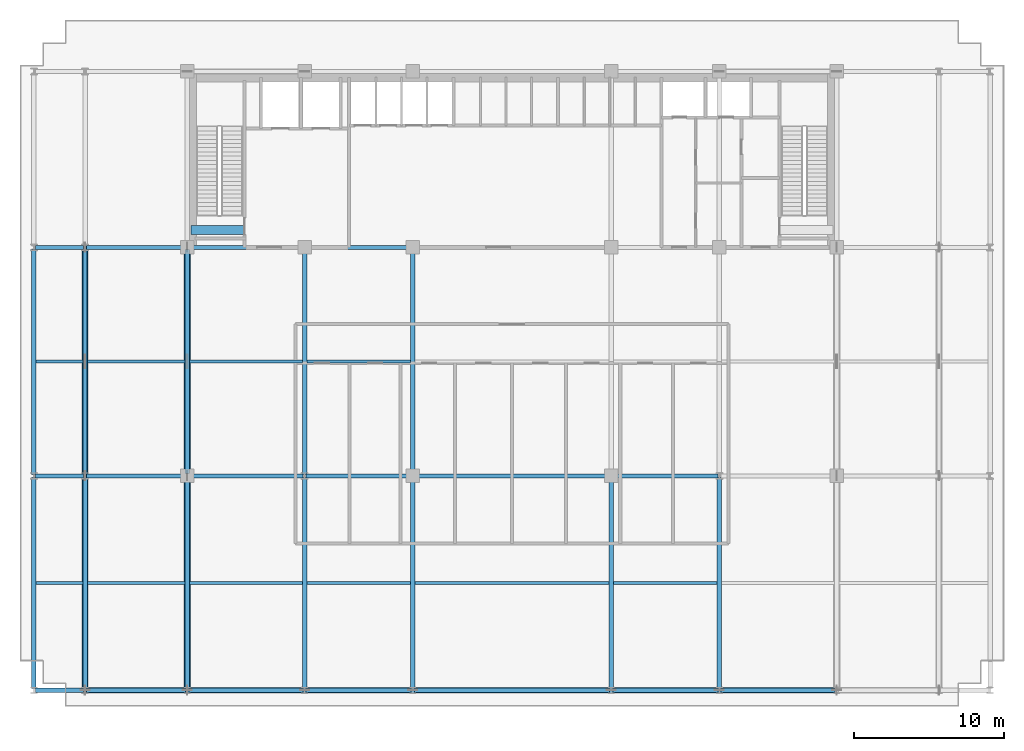
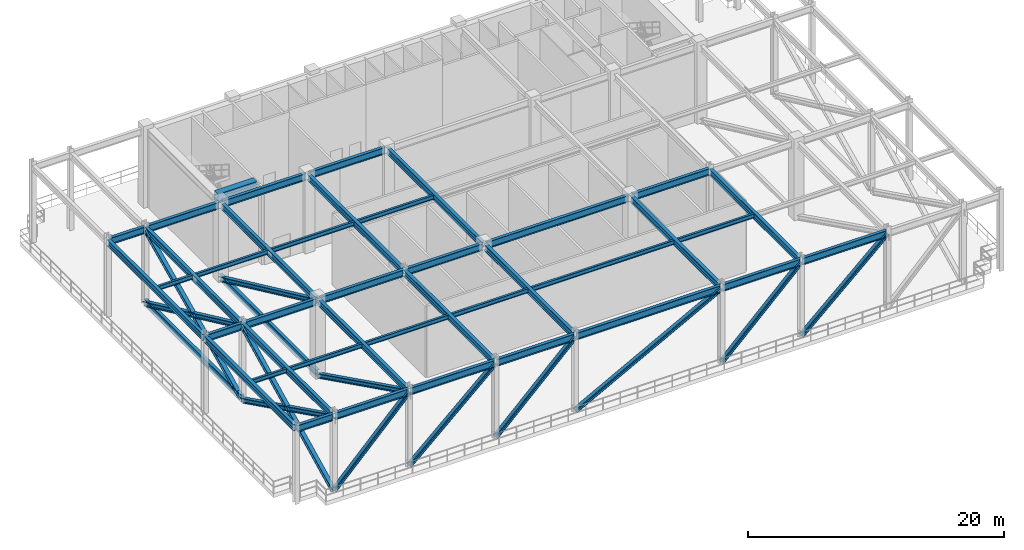
# One storey, part 4 of 16: 40 beams, 14 members.
"""IFC4 building model written with IfcOpenShell, lengths in metres."""

from ifc_helpers import new_model, si_unit, direction, frame, origin, origin_2d, place, context, subcontext, project, spatial, rectangle, i_section, extrude, source, transform, mapped, material, material_profile, profile_set, type_object, element, save


model = new_model("IFC4")

# Units and contexts
model_context = context("Model", 3, precision=1e-05, world=origin(), true_north=direction((0.0, 1.0)))
body_context = subcontext(model_context, "Body", "Model", "MODEL_VIEW")
ifc_project = project(units=[si_unit("LENGTHUNIT", "METRE"), si_unit("AREAUNIT", "SQUARE_METRE"), si_unit("VOLUMEUNIT", "CUBIC_METRE"), si_unit("PLANEANGLEUNIT", "RADIAN"), si_unit("MASSUNIT", "GRAM", prefix="KILO")], contexts=[model_context])

# Site, building, storey
site_placement = place(None, origin())
site = spatial("IfcSite", under=ifc_project, at=site_placement, CompositionType="ELEMENT")
building_placement = place(site_placement, origin())
building = spatial("IfcBuilding", under=site, at=building_placement, Name="Trelvane Seafront Commons", CompositionType="ELEMENT")
storey_placement = place(building_placement, frame((0.0, 0.0, 73.89990234375)))
storey = spatial("IfcBuildingStorey", under=building, at=storey_placement, Name="L19", CompositionType="ELEMENT", Elevation=73.89990234375)

# Beams
ifc_material_1 = material(Name="Concrete C60/75", Category="concrete")
ifc_material_profile_1 = material_profile(ifc_material_1, rectangle(XDim=0.60009765625, YDim=0.89990234375, at=origin_2d()), Name="RC-600x900")
ifc_profile_set_1 = profile_set([ifc_material_profile_1], Name="Concrete C60/75")
beam_type_1 = type_object("IfcBeamType", Name="STR-LNT-RC600x900", PredefinedType="LINTEL", material=ifc_profile_set_1)
shared_shape_1 = source(origin(), body_context, "Body", "SweptSolid", [
    extrude(rectangle(XDim=0.60009765625, YDim=0.89990234375, at=origin_2d()), origin(), (0.0, 0.0, 1.0), 3.5498046875),
])
beam_1_placement = place(storey_placement, frame((15.85009765625, 34.550048828125, 6.97021484375), z_axis=(1.0, 0.0, 0.0), x_axis=(0.0, 1.0, 0.0)))
element("IfcBeam", 1, at=beam_1_placement, inside=storey, type_object=beam_type_1, Name="L19 Core Coupling Lintel Beam CB-85", PredefinedType="LINTEL", context=body_context, shape_type="MappedRepresentation", body=[
    mapped(shared_shape_1, transform((0.0, 0.0, 0.0), x_axis=(1.0, 0.0, 0.0), y_axis=(0.0, 1.0, 0.0), z_axis=(0.0, 0.0, 1.0), scale=1.0)),
])
ifc_material_2 = material(Name="Steel SM355 (S355)", Category="steel")
ifc_material_profile_2 = material_profile(ifc_material_2, i_section(OverallWidth=0.280029296875, OverallDepth=0.64990234375, WebThickness=0.012939453125, FlangeThickness=0.02197265625, at=origin_2d()), Name="H-650x280x13x22")
ifc_profile_set_2 = profile_set([ifc_material_profile_2], Name="Steel SM355 (S355)")
beam_type_2 = type_object("IfcBeamType", Name="STR-BM-H650", PredefinedType="BEAM", material=ifc_profile_set_2)
shared_shape_2 = source(origin(), body_context, "Body", "SweptSolid", [
    extrude(i_section(OverallWidth=0.280029296875, OverallDepth=0.64990234375, WebThickness=0.012939453125, FlangeThickness=0.02197265625, at=origin_2d()), origin(), (0.0, 0.0, 1.0), 3.190185546875),
])
for number, where, z_axis, x_axis, name in (
    (2, (5.5048828125, 3.949951171875, 7.09521484375), (1.0, 0.0, 0.0), (0.0, 1.0, 0.0), "L19 Primary Girder G-01"),
    (3, (5.5048828125, 18.199951171875, 7.09521484375), (1.0, 0.0, 0.0), (0.0, 1.0, 0.0), "L19 Primary Girder G-10"),
    (4, (5.5048828125, 33.39990234375, 7.09521484375), (1.0, 0.0, 0.0), (0.0, 1.0, 0.0), "L19 Primary Girder G-19"),
):
    element("IfcBeam", number, at=place(storey_placement, frame(where, z_axis=z_axis, x_axis=x_axis)), inside=storey, type_object=beam_type_2, Name=name, PredefinedType="BEAM", context=body_context, shape_type="MappedRepresentation", body=[
        mapped(shared_shape_2, transform((0.0, 0.0, 0.0), x_axis=(1.0, 0.0, 0.0), y_axis=(0.0, 1.0, 0.0), z_axis=(0.0, 0.0, 1.0), scale=1.0)),
    ])
shared_shape_3 = source(origin(), body_context, "Body", "SweptSolid", [
    extrude(i_section(OverallWidth=0.280029296875, OverallDepth=0.64990234375, WebThickness=0.012939453125, FlangeThickness=0.02197265625, at=origin_2d()), origin(), (0.0, 0.0, 1.0), 6.590087890625),
])
beam_2_placement = place(storey_placement, frame((8.905029296875, 3.949951171875, 7.09521484375), z_axis=(1.0, 0.0, 0.0), x_axis=(0.0, 1.0, 0.0)))
element("IfcBeam", 5, at=beam_2_placement, inside=storey, type_object=beam_type_2, Name="L19 Primary Girder G-02", PredefinedType="BEAM", context=body_context, shape_type="MappedRepresentation", body=[
    mapped(shared_shape_3, transform((0.0, 0.0, 0.0), x_axis=(1.0, 0.0, 0.0), y_axis=(0.0, 1.0, 0.0), z_axis=(0.0, 0.0, 1.0), scale=1.0)),
])
shared_shape_4 = source(origin(), body_context, "Body", "SweptSolid", [
    extrude(i_section(OverallWidth=0.280029296875, OverallDepth=0.64990234375, WebThickness=0.012939453125, FlangeThickness=0.02197265625, at=origin_2d()), origin(), (0.0, 0.0, 1.0), 7.58984375),
])
beam_3_placement = place(storey_placement, frame((15.705078125, 3.949951171875, 7.09521484375), z_axis=(1.0, 0.0, 0.0), x_axis=(0.0, 1.0, 0.0)))
element("IfcBeam", 6, at=beam_3_placement, inside=storey, type_object=beam_type_2, Name="L19 Primary Girder G-03", PredefinedType="BEAM", context=body_context, shape_type="MappedRepresentation", body=[
    mapped(shared_shape_4, transform((0.0, 0.0, 0.0), x_axis=(1.0, 0.0, 0.0), y_axis=(0.0, 1.0, 0.0), z_axis=(0.0, 0.0, 1.0), scale=1.0)),
])
shared_shape_5 = source(origin(), body_context, "Body", "SweptSolid", [
    extrude(i_section(OverallWidth=0.280029296875, OverallDepth=0.64990234375, WebThickness=0.012939453125, FlangeThickness=0.02197265625, at=origin_2d()), origin(), (0.0, 0.0, 1.0), 6.990234375),
])
beam_4_placement = place(storey_placement, frame((23.5048828125, 3.949951171875, 7.09521484375), z_axis=(1.0, 0.0, 0.0), x_axis=(0.0, 1.0, 0.0)))
element("IfcBeam", 7, at=beam_4_placement, inside=storey, type_object=beam_type_2, Name="L19 Primary Girder G-04", PredefinedType="BEAM", context=body_context, shape_type="MappedRepresentation", body=[
    mapped(shared_shape_5, transform((0.0, 0.0, 0.0), x_axis=(1.0, 0.0, 0.0), y_axis=(0.0, 1.0, 0.0), z_axis=(0.0, 0.0, 1.0), scale=1.0)),
])
shared_shape_6 = source(origin(), body_context, "Body", "SweptSolid", [
    extrude(i_section(OverallWidth=0.280029296875, OverallDepth=0.64990234375, WebThickness=0.012939453125, FlangeThickness=0.02197265625, at=origin_2d()), origin(), (0.0, 0.0, 1.0), 12.989990234375),
])
beam_5_placement = place(storey_placement, frame((30.705078125, 3.949951171875, 7.09521484375), z_axis=(1.0, 0.0, 0.0), x_axis=(0.0, 1.0, 0.0)))
element("IfcBeam", 8, at=beam_5_placement, inside=storey, type_object=beam_type_2, Name="L19 Primary Girder G-05", PredefinedType="BEAM", context=body_context, shape_type="MappedRepresentation", body=[
    mapped(shared_shape_6, transform((0.0, 0.0, 0.0), x_axis=(1.0, 0.0, 0.0), y_axis=(0.0, 1.0, 0.0), z_axis=(0.0, 0.0, 1.0), scale=1.0)),
])
shared_shape_7 = source(origin(), body_context, "Body", "SweptSolid", [
    extrude(i_section(OverallWidth=0.280029296875, OverallDepth=0.64990234375, WebThickness=0.012939453125, FlangeThickness=0.02197265625, at=origin_2d()), origin(), (0.0, 0.0, 1.0), 6.989990234375),
])
beam_6_placement = place(storey_placement, frame((43.905029296875, 3.949951171875, 7.09521484375), z_axis=(1.0, 0.0, 0.0), x_axis=(0.0, 1.0, 0.0)))
element("IfcBeam", 9, at=beam_6_placement, inside=storey, type_object=beam_type_2, Name="L19 Primary Girder G-06", PredefinedType="BEAM", context=body_context, shape_type="MappedRepresentation", body=[
    mapped(shared_shape_7, transform((0.0, 0.0, 0.0), x_axis=(1.0, 0.0, 0.0), y_axis=(0.0, 1.0, 0.0), z_axis=(0.0, 0.0, 1.0), scale=1.0)),
])
shared_shape_8 = source(origin(), body_context, "Body", "SweptSolid", [
    extrude(i_section(OverallWidth=0.280029296875, OverallDepth=0.64990234375, WebThickness=0.012939453125, FlangeThickness=0.02197265625, at=origin_2d()), origin(), (0.0, 0.0, 1.0), 7.590087890625),
])
beam_7_placement = place(storey_placement, frame((51.10498046875, 3.949951171875, 7.09521484375), z_axis=(1.0, 0.0, 0.0), x_axis=(0.0, 1.0, 0.0)))
element("IfcBeam", 10, at=beam_7_placement, inside=storey, type_object=beam_type_2, Name="L19 Primary Girder G-07", PredefinedType="BEAM", context=body_context, shape_type="MappedRepresentation", body=[
    mapped(shared_shape_8, transform((0.0, 0.0, 0.0), x_axis=(1.0, 0.0, 0.0), y_axis=(0.0, 1.0, 0.0), z_axis=(0.0, 0.0, 1.0), scale=1.0)),
])
shared_shape_9 = source(origin(), body_context, "Body", "SweptSolid", [
    extrude(i_section(OverallWidth=0.280029296875, OverallDepth=0.64990234375, WebThickness=0.012939453125, FlangeThickness=0.02197265625, at=origin_2d()), origin(), (0.0, 0.0, 1.0), 6.544921875),
])
for number, where, z_axis, x_axis, name in (
    (11, (8.905029296875, 18.199951171875, 7.09521484375), (1.0, 0.0, 0.0), (0.0, 1.0, 0.0), "L19 Primary Girder G-11"),
    (12, (8.905029296875, 33.39990234375, 7.09521484375), (1.0, 0.0, 0.0), (0.0, 1.0, 0.0), "L19 Primary Girder G-20"),
):
    element("IfcBeam", number, at=place(storey_placement, frame(where, z_axis=z_axis, x_axis=x_axis)), inside=storey, type_object=beam_type_2, Name=name, PredefinedType="BEAM", context=body_context, shape_type="MappedRepresentation", body=[
        mapped(shared_shape_9, transform((0.0, 0.0, 0.0), x_axis=(1.0, 0.0, 0.0), y_axis=(0.0, 1.0, 0.0), z_axis=(0.0, 0.0, 1.0), scale=1.0)),
    ])
shared_shape_10 = source(origin(), body_context, "Body", "SweptSolid", [
    extrude(i_section(OverallWidth=0.280029296875, OverallDepth=0.64990234375, WebThickness=0.012939453125, FlangeThickness=0.02197265625, at=origin_2d()), origin(), (0.0, 0.0, 1.0), 7.544921875),
])
beam_8_placement = place(storey_placement, frame((15.75, 18.199951171875, 7.09521484375), z_axis=(1.0, 0.0, 0.0), x_axis=(0.0, 1.0, 0.0)))
element("IfcBeam", 13, at=beam_8_placement, inside=storey, type_object=beam_type_2, Name="L19 Primary Girder G-12", PredefinedType="BEAM", context=body_context, shape_type="MappedRepresentation", body=[
    mapped(shared_shape_10, transform((0.0, 0.0, 0.0), x_axis=(1.0, 0.0, 0.0), y_axis=(0.0, 1.0, 0.0), z_axis=(0.0, 0.0, 1.0), scale=1.0)),
])
shared_shape_11 = source(origin(), body_context, "Body", "SweptSolid", [
    extrude(i_section(OverallWidth=0.280029296875, OverallDepth=0.64990234375, WebThickness=0.012939453125, FlangeThickness=0.02197265625, at=origin_2d()), origin(), (0.0, 0.0, 1.0), 6.945068359375),
])
for number, where, z_axis, x_axis, name in (
    (14, (23.5048828125, 18.199951171875, 7.09521484375), (1.0, 0.0, 0.0), (0.0, 1.0, 0.0), "L19 Primary Girder G-13"),
    (15, (43.949951171875, 18.199951171875, 7.09521484375), (1.0, 0.0, 0.0), (0.0, 1.0, 0.0), "L19 Primary Girder G-15"),
):
    element("IfcBeam", number, at=place(storey_placement, frame(where, z_axis=z_axis, x_axis=x_axis)), inside=storey, type_object=beam_type_2, Name=name, PredefinedType="BEAM", context=body_context, shape_type="MappedRepresentation", body=[
        mapped(shared_shape_11, transform((0.0, 0.0, 0.0), x_axis=(1.0, 0.0, 0.0), y_axis=(0.0, 1.0, 0.0), z_axis=(0.0, 0.0, 1.0), scale=1.0)),
    ])
shared_shape_12 = source(origin(), body_context, "Body", "SweptSolid", [
    extrude(i_section(OverallWidth=0.280029296875, OverallDepth=0.64990234375, WebThickness=0.012939453125, FlangeThickness=0.02197265625, at=origin_2d()), origin(), (0.0, 0.0, 1.0), 12.89990234375),
])
beam_9_placement = place(storey_placement, frame((30.75, 18.199951171875, 7.09521484375), z_axis=(1.0, 0.0, 0.0), x_axis=(0.0, 1.0, 0.0)))
element("IfcBeam", 16, at=beam_9_placement, inside=storey, type_object=beam_type_2, Name="L19 Primary Girder G-14", PredefinedType="BEAM", context=body_context, shape_type="MappedRepresentation", body=[
    mapped(shared_shape_12, transform((0.0, 0.0, 0.0), x_axis=(1.0, 0.0, 0.0), y_axis=(0.0, 1.0, 0.0), z_axis=(0.0, 0.0, 1.0), scale=1.0)),
])
shared_shape_13 = source(origin(), body_context, "Body", "SweptSolid", [
    extrude(i_section(OverallWidth=0.280029296875, OverallDepth=0.64990234375, WebThickness=0.012939453125, FlangeThickness=0.02197265625, at=origin_2d()), origin(), (0.0, 0.0, 1.0), 7.5),
])
beam_10_placement = place(storey_placement, frame((15.75, 33.39990234375, 7.09521484375), z_axis=(1.0, 0.0, 0.0), x_axis=(0.0, 1.0, 0.0)))
element("IfcBeam", 17, at=beam_10_placement, inside=storey, type_object=beam_type_2, Name="L19 Primary Girder G-21", PredefinedType="BEAM", context=body_context, shape_type="MappedRepresentation", body=[
    mapped(shared_shape_13, transform((0.0, 0.0, 0.0), x_axis=(1.0, 0.0, 0.0), y_axis=(0.0, 1.0, 0.0), z_axis=(0.0, 0.0, 1.0), scale=1.0)),
])
shared_shape_14 = source(origin(), body_context, "Body", "SweptSolid", [
    extrude(i_section(OverallWidth=0.280029296875, OverallDepth=0.64990234375, WebThickness=0.012939453125, FlangeThickness=0.02197265625, at=origin_2d()), origin(), (0.0, 0.0, 1.0), 6.89990234375),
])
beam_11_placement = place(storey_placement, frame((23.550048828125, 33.39990234375, 7.09521484375), z_axis=(1.0, 0.0, 0.0), x_axis=(0.0, 1.0, 0.0)))
element("IfcBeam", 18, at=beam_11_placement, inside=storey, type_object=beam_type_2, Name="L19 Primary Girder G-22", PredefinedType="BEAM", context=body_context, shape_type="MappedRepresentation", body=[
    mapped(shared_shape_14, transform((0.0, 0.0, 0.0), x_axis=(1.0, 0.0, 0.0), y_axis=(0.0, 1.0, 0.0), z_axis=(0.0, 0.0, 1.0), scale=1.0)),
])
ifc_material_profile_3 = material_profile(ifc_material_2, i_section(OverallWidth=0.300048828125, OverallDepth=0.587890625, WebThickness=0.011962890625, FlangeThickness=0.02001953125, at=origin_2d()), Name="H-588x300x12x20")
ifc_profile_set_3 = profile_set([ifc_material_profile_3], Name="Steel SM355 (S355)")
beam_type_3 = type_object("IfcBeamType", Name="STR-BM-H588", PredefinedType="BEAM", material=ifc_profile_set_3)
shared_shape_15 = source(origin(), body_context, "Body", "SweptSolid", [
    extrude(i_section(OverallWidth=0.300048828125, OverallDepth=0.587890625, WebThickness=0.011962890625, FlangeThickness=0.02001953125, at=origin_2d()), origin(), (0.0, 0.0, 1.0), 14.0400390625),
])
for number, where, z_axis, x_axis, name in (
    (19, (5.39990234375, 4.054931640625, 7.1259765625), (0.0, 1.0, 0.0), (-1.0, 0.0, 0.0), "L19 Primary Girder G-37"),
    (20, (8.800048828125, 4.054931640625, 7.1259765625), (0.0, 1.0, 0.0), (-1.0, 0.0, 0.0), "L19 Primary Girder G-40"),
    (21, (23.39990234375, 4.054931640625, 7.1259765625), (0.0, 1.0, 0.0), (-1.0, 0.0, 0.0), "L19 Primary Girder G-46"),
    (22, (51.0, 4.054931640625, 7.1259765625), (0.0, 1.0, 0.0), (-1.0, 0.0, 0.0), "L19 Primary Girder G-55"),
):
    element("IfcBeam", number, at=place(storey_placement, frame(where, z_axis=z_axis, x_axis=x_axis)), inside=storey, type_object=beam_type_3, Name=name, PredefinedType="BEAM", context=body_context, shape_type="MappedRepresentation", body=[
        mapped(shared_shape_15, transform((0.0, 0.0, 0.0), x_axis=(1.0, 0.0, 0.0), y_axis=(0.0, 1.0, 0.0), z_axis=(0.0, 0.0, 1.0), scale=1.0)),
    ])
shared_shape_16 = source(origin(), body_context, "Body", "SweptSolid", [
    extrude(i_section(OverallWidth=0.300048828125, OverallDepth=0.587890625, WebThickness=0.011962890625, FlangeThickness=0.02001953125, at=origin_2d()), origin(), (0.0, 0.0, 1.0), 14.989990234375),
])
for number, where, z_axis, x_axis, name in (
    (23, (5.39990234375, 18.304931640625, 7.1259765625), (0.0, 1.0, 0.0), (-1.0, 0.0, 0.0), "L19 Primary Girder G-38"),
    (24, (8.800048828125, 18.304931640625, 7.1259765625), (0.0, 1.0, 0.0), (-1.0, 0.0, 0.0), "L19 Primary Girder G-41"),
):
    element("IfcBeam", number, at=place(storey_placement, frame(where, z_axis=z_axis, x_axis=x_axis)), inside=storey, type_object=beam_type_3, Name=name, PredefinedType="BEAM", context=body_context, shape_type="MappedRepresentation", body=[
        mapped(shared_shape_16, transform((0.0, 0.0, 0.0), x_axis=(1.0, 0.0, 0.0), y_axis=(0.0, 1.0, 0.0), z_axis=(0.0, 0.0, 1.0), scale=1.0)),
    ])
shared_shape_17 = source(origin(), body_context, "Body", "SweptSolid", [
    extrude(i_section(OverallWidth=0.300048828125, OverallDepth=0.587890625, WebThickness=0.011962890625, FlangeThickness=0.02001953125, at=origin_2d()), origin(), (0.0, 0.0, 1.0), 13.9951171875),
])
for number, where, z_axis, x_axis, name in (
    (25, (15.60009765625, 4.054931640625, 7.1259765625), (0.0, 1.0, 0.0), (-1.0, 0.0, 0.0), "L19 Primary Girder G-43"),
    (26, (30.60009765625, 4.054931640625, 7.1259765625), (0.0, 1.0, 0.0), (-1.0, 0.0, 0.0), "L19 Primary Girder G-49"),
    (27, (43.800048828125, 4.054931640625, 7.1259765625), (0.0, 1.0, 0.0), (-1.0, 0.0, 0.0), "L19 Primary Girder G-52"),
):
    element("IfcBeam", number, at=place(storey_placement, frame(where, z_axis=z_axis, x_axis=x_axis)), inside=storey, type_object=beam_type_3, Name=name, PredefinedType="BEAM", context=body_context, shape_type="MappedRepresentation", body=[
        mapped(shared_shape_17, transform((0.0, 0.0, 0.0), x_axis=(1.0, 0.0, 0.0), y_axis=(0.0, 1.0, 0.0), z_axis=(0.0, 0.0, 1.0), scale=1.0)),
    ])
shared_shape_18 = source(origin(), body_context, "Body", "SweptSolid", [
    extrude(i_section(OverallWidth=0.300048828125, OverallDepth=0.587890625, WebThickness=0.011962890625, FlangeThickness=0.02001953125, at=origin_2d()), origin(), (0.0, 0.0, 1.0), 14.89990234375),
])
for number, where, z_axis, x_axis, name in (
    (28, (15.60009765625, 18.35009765625, 7.1259765625), (0.0, 1.0, 0.0), (-1.0, 0.0, 0.0), "L19 Primary Girder G-44"),
    (29, (30.60009765625, 18.35009765625, 7.1259765625), (0.0, 1.0, 0.0), (-1.0, 0.0, 0.0), "L19 Primary Girder G-50"),
):
    element("IfcBeam", number, at=place(storey_placement, frame(where, z_axis=z_axis, x_axis=x_axis)), inside=storey, type_object=beam_type_3, Name=name, PredefinedType="BEAM", context=body_context, shape_type="MappedRepresentation", body=[
        mapped(shared_shape_18, transform((0.0, 0.0, 0.0), x_axis=(1.0, 0.0, 0.0), y_axis=(0.0, 1.0, 0.0), z_axis=(0.0, 0.0, 1.0), scale=1.0)),
    ])
shared_shape_19 = source(origin(), body_context, "Body", "SweptSolid", [
    extrude(i_section(OverallWidth=0.300048828125, OverallDepth=0.587890625, WebThickness=0.011962890625, FlangeThickness=0.02001953125, at=origin_2d()), origin(), (0.0, 0.0, 1.0), 14.945068359375),
])
beam_12_placement = place(storey_placement, frame((23.39990234375, 18.304931640625, 7.1259765625), z_axis=(0.0, 1.0, 0.0), x_axis=(-1.0, 0.0, 0.0)))
element("IfcBeam", 30, at=beam_12_placement, inside=storey, type_object=beam_type_3, Name="L19 Primary Girder G-47", PredefinedType="BEAM", context=body_context, shape_type="MappedRepresentation", body=[
    mapped(shared_shape_19, transform((0.0, 0.0, 0.0), x_axis=(1.0, 0.0, 0.0), y_axis=(0.0, 1.0, 0.0), z_axis=(0.0, 0.0, 1.0), scale=1.0)),
])
ifc_material_profile_4 = material_profile(ifc_material_2, i_section(OverallWidth=0.199951171875, OverallDepth=0.39990234375, WebThickness=0.008056640625, FlangeThickness=0.012939453125, at=origin_2d()), Name="H-400x200x8x13")
ifc_profile_set_4 = profile_set([ifc_material_profile_4], Name="Steel SM355 (S355)")
beam_type_4 = type_object("IfcBeamType", Name="STR-JST-H400", PredefinedType="JOIST", material=ifc_profile_set_4)
shared_shape_20 = source(origin(), body_context, "Body", "SweptSolid", [
    extrude(i_section(OverallWidth=0.199951171875, OverallDepth=0.39990234375, WebThickness=0.008056640625, FlangeThickness=0.012939453125, at=origin_2d()), origin(), (0.0, 0.0, 1.0), 3.099853515625),
])
for number, where, z_axis, x_axis, name in (
    (31, (5.550048828125, 11.074951171875, 7.22021484375), (1.0, 0.0, 0.0), (0.0, 1.0, 0.0), "L19 Secondary Floor Joist B-67"),
    (32, (5.550048828125, 25.800048828125, 7.22021484375), (1.0, 0.0, 0.0), (0.0, 1.0, 0.0), "L19 Secondary Floor Joist B-76"),
):
    element("IfcBeam", number, at=place(storey_placement, frame(where, z_axis=z_axis, x_axis=x_axis)), inside=storey, type_object=beam_type_4, Name=name, PredefinedType="JOIST", context=body_context, shape_type="MappedRepresentation", body=[
        mapped(shared_shape_20, transform((0.0, 0.0, 0.0), x_axis=(1.0, 0.0, 0.0), y_axis=(0.0, 1.0, 0.0), z_axis=(0.0, 0.0, 1.0), scale=1.0)),
    ])
shared_shape_21 = source(origin(), body_context, "Body", "SweptSolid", [
    extrude(i_section(OverallWidth=0.199951171875, OverallDepth=0.39990234375, WebThickness=0.008056640625, FlangeThickness=0.012939453125, at=origin_2d()), origin(), (0.0, 0.0, 1.0), 6.5),
])
for number, where, z_axis, x_axis, name in (
    (33, (8.949951171875, 11.074951171875, 7.22021484375), (1.0, 0.0, 0.0), (0.0, 1.0, 0.0), "L19 Secondary Floor Joist B-68"),
    (34, (8.949951171875, 25.800048828125, 7.22021484375), (1.0, 0.0, 0.0), (0.0, 1.0, 0.0), "L19 Secondary Floor Joist B-77"),
):
    element("IfcBeam", number, at=place(storey_placement, frame(where, z_axis=z_axis, x_axis=x_axis)), inside=storey, type_object=beam_type_4, Name=name, PredefinedType="JOIST", context=body_context, shape_type="MappedRepresentation", body=[
        mapped(shared_shape_21, transform((0.0, 0.0, 0.0), x_axis=(1.0, 0.0, 0.0), y_axis=(0.0, 1.0, 0.0), z_axis=(0.0, 0.0, 1.0), scale=1.0)),
    ])
shared_shape_22 = source(origin(), body_context, "Body", "SweptSolid", [
    extrude(i_section(OverallWidth=0.199951171875, OverallDepth=0.39990234375, WebThickness=0.008056640625, FlangeThickness=0.012939453125, at=origin_2d()), origin(), (0.0, 0.0, 1.0), 7.5),
])
for number, where, z_axis, x_axis, name in (
    (35, (15.75, 11.074951171875, 7.22021484375), (1.0, 0.0, 0.0), (0.0, 1.0, 0.0), "L19 Secondary Floor Joist B-69"),
    (36, (15.75, 25.800048828125, 7.22021484375), (1.0, 0.0, 0.0), (0.0, 1.0, 0.0), "L19 Secondary Floor Joist B-78"),
):
    element("IfcBeam", number, at=place(storey_placement, frame(where, z_axis=z_axis, x_axis=x_axis)), inside=storey, type_object=beam_type_4, Name=name, PredefinedType="JOIST", context=body_context, shape_type="MappedRepresentation", body=[
        mapped(shared_shape_22, transform((0.0, 0.0, 0.0), x_axis=(1.0, 0.0, 0.0), y_axis=(0.0, 1.0, 0.0), z_axis=(0.0, 0.0, 1.0), scale=1.0)),
    ])
shared_shape_23 = source(origin(), body_context, "Body", "SweptSolid", [
    extrude(i_section(OverallWidth=0.199951171875, OverallDepth=0.39990234375, WebThickness=0.008056640625, FlangeThickness=0.012939453125, at=origin_2d()), origin(), (0.0, 0.0, 1.0), 6.89990234375),
])
for number, where, z_axis, x_axis, name in (
    (37, (23.550048828125, 11.074951171875, 7.22021484375), (1.0, 0.0, 0.0), (0.0, 1.0, 0.0), "L19 Secondary Floor Joist B-70"),
    (38, (23.550048828125, 25.800048828125, 7.22021484375), (1.0, 0.0, 0.0), (0.0, 1.0, 0.0), "L19 Secondary Floor Joist B-79"),
):
    element("IfcBeam", number, at=place(storey_placement, frame(where, z_axis=z_axis, x_axis=x_axis)), inside=storey, type_object=beam_type_4, Name=name, PredefinedType="JOIST", context=body_context, shape_type="MappedRepresentation", body=[
        mapped(shared_shape_23, transform((0.0, 0.0, 0.0), x_axis=(1.0, 0.0, 0.0), y_axis=(0.0, 1.0, 0.0), z_axis=(0.0, 0.0, 1.0), scale=1.0)),
    ])
shared_shape_24 = source(origin(), body_context, "Body", "SweptSolid", [
    extrude(i_section(OverallWidth=0.199951171875, OverallDepth=0.39990234375, WebThickness=0.008056640625, FlangeThickness=0.012939453125, at=origin_2d()), origin(), (0.0, 0.0, 1.0), 12.89990234375),
])
beam_13_placement = place(storey_placement, frame((30.75, 11.074951171875, 7.22021484375), z_axis=(1.0, 0.0, 0.0), x_axis=(0.0, 1.0, 0.0)))
element("IfcBeam", 39, at=beam_13_placement, inside=storey, type_object=beam_type_4, Name="L19 Secondary Floor Joist B-71", PredefinedType="JOIST", context=body_context, shape_type="MappedRepresentation", body=[
    mapped(shared_shape_24, transform((0.0, 0.0, 0.0), x_axis=(1.0, 0.0, 0.0), y_axis=(0.0, 1.0, 0.0), z_axis=(0.0, 0.0, 1.0), scale=1.0)),
])
shared_shape_25 = source(origin(), body_context, "Body", "SweptSolid", [
    extrude(i_section(OverallWidth=0.199951171875, OverallDepth=0.39990234375, WebThickness=0.008056640625, FlangeThickness=0.012939453125, at=origin_2d()), origin(), (0.0, 0.0, 1.0), 6.900146484375),
])
beam_14_placement = place(storey_placement, frame((43.949951171875, 11.074951171875, 7.22021484375), z_axis=(1.0, 0.0, 0.0), x_axis=(0.0, 1.0, 0.0)))
element("IfcBeam", 40, at=beam_14_placement, inside=storey, type_object=beam_type_4, Name="L19 Secondary Floor Joist B-72", PredefinedType="JOIST", context=body_context, shape_type="MappedRepresentation", body=[
    mapped(shared_shape_25, transform((0.0, 0.0, 0.0), x_axis=(1.0, 0.0, 0.0), y_axis=(0.0, 1.0, 0.0), z_axis=(0.0, 0.0, 1.0), scale=1.0)),
])

# Members
ifc_material_profile_5 = material_profile(ifc_material_2, i_section(OverallWidth=0.39990234375, OverallDepth=0.39990234375, WebThickness=0.02197265625, FlangeThickness=0.034912109375, at=origin_2d()), Name="HD-400x400x22x35")
ifc_profile_set_5 = profile_set([ifc_material_profile_5], Name="Steel SM355 (S355)")
member_type_1 = type_object("IfcMemberType", Name="STR-BRC-HD400", PredefinedType="BRACE", material=ifc_profile_set_5)
shared_shape_26 = source(origin(), body_context, "Body", "SweptSolid", [
    extrude(i_section(OverallWidth=0.39990234375, OverallDepth=0.39990234375, WebThickness=0.02197265625, FlangeThickness=0.034912109375, at=origin_2d()), origin(), (0.0, 0.0, 1.0), 16.763671875),
])
for number, where, z_axis, x_axis, name in (
    (41, (8.800048828125, 33.39990234375, 0.0), (0.0, -0.90671372959, 0.421746621295), (1.0, 0.0, 0.0), "L19 Outrigger Truss Diagonal OB-1A"),
    (42, (15.60009765625, 33.39990234375, 0.0), (0.0, -0.90671372959, 0.421746621295), (1.0, 0.0, 0.0), "L19 Outrigger Truss Diagonal OB-2A"),
):
    element("IfcMember", number, at=place(storey_placement, frame(where, z_axis=z_axis, x_axis=x_axis)), inside=storey, type_object=member_type_1, Name=name, PredefinedType="BRACE", context=body_context, shape_type="MappedRepresentation", body=[
        mapped(shared_shape_26, transform((0.0, 0.0, 0.0), x_axis=(1.0, 0.0, 0.0), y_axis=(0.0, 1.0, 0.0), z_axis=(0.0, 0.0, 1.0), scale=1.0)),
    ])
shared_shape_27 = source(origin(), body_context, "Body", "SweptSolid", [
    extrude(i_section(OverallWidth=0.39990234375, OverallDepth=0.39990234375, WebThickness=0.02197265625, FlangeThickness=0.034912109375, at=origin_2d()), origin(), (0.0, 0.0, 1.0), 15.907470703125),
])
for number, where, z_axis, x_axis, name in (
    (43, (8.800048828125, 18.199951171875, 0.0), (0.0, -0.895804201775, 0.444448908292), (1.0, 0.0, 0.0), "L19 Outrigger Truss Diagonal OB-1B"),
    (44, (15.60009765625, 18.199951171875, 0.0), (0.0, -0.895804201775, 0.444448908292), (1.0, 0.0, 0.0), "L19 Outrigger Truss Diagonal OB-2B"),
):
    element("IfcMember", number, at=place(storey_placement, frame(where, z_axis=z_axis, x_axis=x_axis)), inside=storey, type_object=member_type_1, Name=name, PredefinedType="BRACE", context=body_context, shape_type="MappedRepresentation", body=[
        mapped(shared_shape_27, transform((0.0, 0.0, 0.0), x_axis=(1.0, 0.0, 0.0), y_axis=(0.0, 1.0, 0.0), z_axis=(0.0, 0.0, 1.0), scale=1.0)),
    ])
ifc_material_profile_6 = material_profile(ifc_material_2, i_section(OverallWidth=0.280029296875, OverallDepth=0.64990234375, WebThickness=0.012939453125, FlangeThickness=0.02197265625, at=origin_2d()), Name="H-650x280x13x22")
ifc_profile_set_6 = profile_set([ifc_material_profile_6], Name="Steel SM355 (S355)")
member_type_2 = type_object("IfcMemberType", Name="STR-CHD-H650", PredefinedType="CHORD", material=ifc_profile_set_6)
shared_shape_28 = source(origin(), body_context, "Body", "SweptSolid", [
    extrude(i_section(OverallWidth=0.280029296875, OverallDepth=0.64990234375, WebThickness=0.012939453125, FlangeThickness=0.02197265625, at=origin_2d()), origin(), (0.0, 0.0, 1.0), 15.199951171875),
])
for number, where, z_axis, x_axis, name in (
    (45, (8.800048828125, 18.199951171875, 0.16015625), (0.0, 1.0, 0.0), (-1.0, 0.0, 0.0), "L19 Outrigger Bottom Chord CH-1"),
    (46, (15.60009765625, 18.199951171875, 0.16015625), (0.0, 1.0, 0.0), (-1.0, 0.0, 0.0), "L19 Outrigger Bottom Chord CH-2"),
):
    element("IfcMember", number, at=place(storey_placement, frame(where, z_axis=z_axis, x_axis=x_axis)), inside=storey, type_object=member_type_2, Name=name, PredefinedType="CHORD", context=body_context, shape_type="MappedRepresentation", body=[
        mapped(shared_shape_28, transform((0.0, 0.0, 0.0), x_axis=(1.0, 0.0, 0.0), y_axis=(0.0, 1.0, 0.0), z_axis=(0.0, 0.0, 1.0), scale=1.0)),
    ])
ifc_material_profile_7 = material_profile(ifc_material_2, i_section(OverallWidth=0.35009765625, OverallDepth=0.35009765625, WebThickness=0.01806640625, FlangeThickness=0.028076171875, at=origin_2d()), Name="HD-350x350x18x28")
ifc_profile_set_7 = profile_set([ifc_material_profile_7], Name="Steel SM355 (S355)")
member_type_3 = type_object("IfcMemberType", Name="STR-BRC-HD350", PredefinedType="BRACE", material=ifc_profile_set_7)
shared_shape_29 = source(origin(), body_context, "Body", "SweptSolid", [
    extrude(i_section(OverallWidth=0.35009765625, OverallDepth=0.35009765625, WebThickness=0.01806640625, FlangeThickness=0.028076171875, at=origin_2d()), origin(), (0.0, 0.0, 1.0), 9.8095703125),
])
member_1_placement = place(storey_placement, frame((8.800048828125, 3.949951171875, 0.0), z_axis=(0.693209677679, 0.0, 0.720735972997), x_axis=(0.0, 1.0, 0.0)))
element("IfcMember", 47, at=member_1_placement, inside=storey, type_object=member_type_3, Name="L19 Perimeter Belt Truss Brace BT-1D", PredefinedType="BRACE", context=body_context, shape_type="MappedRepresentation", body=[
    mapped(shared_shape_29, transform((0.0, 0.0, 0.0), x_axis=(1.0, 0.0, 0.0), y_axis=(0.0, 1.0, 0.0), z_axis=(0.0, 0.0, 1.0), scale=1.0)),
])
shared_shape_30 = source(origin(), body_context, "Body", "SweptSolid", [
    extrude(i_section(OverallWidth=0.35009765625, OverallDepth=0.35009765625, WebThickness=0.01806640625, FlangeThickness=0.028076171875, at=origin_2d()), origin(), (0.0, 0.0, 1.0), 10.52734375),
])
for number, where, z_axis, x_axis, name in (
    (48, (15.60009765625, 3.949951171875, 0.0), (0.740916266657, 0.0, 0.671597413488), (0.0, 1.0, 0.0), "L19 Perimeter Belt Truss Brace BT-2D"),
    (49, (51.0, 3.949951171875, 0.0), (0.740926726671, 0.0, 0.671585873663), (0.0, 1.0, 0.0), "L19 Perimeter Belt Truss Brace BT-6D"),
):
    element("IfcMember", number, at=place(storey_placement, frame(where, z_axis=z_axis, x_axis=x_axis)), inside=storey, type_object=member_type_3, Name=name, PredefinedType="BRACE", context=body_context, shape_type="MappedRepresentation", body=[
        mapped(shared_shape_30, transform((0.0, 0.0, 0.0), x_axis=(1.0, 0.0, 0.0), y_axis=(0.0, 1.0, 0.0), z_axis=(0.0, 0.0, 1.0), scale=1.0)),
    ])
shared_shape_31 = source(origin(), body_context, "Body", "SweptSolid", [
    extrude(i_section(OverallWidth=0.35009765625, OverallDepth=0.35009765625, WebThickness=0.01806640625, FlangeThickness=0.028076171875, at=origin_2d()), origin(), (0.0, 0.0, 1.0), 10.091064453125),
])
member_2_placement = place(storey_placement, frame((23.39990234375, 3.949951171875, 0.0), z_axis=(0.713525045715, 0.0, 0.700629723276), x_axis=(0.0, 1.0, 0.0)))
element("IfcMember", 50, at=member_2_placement, inside=storey, type_object=member_type_3, Name="L19 Perimeter Belt Truss Brace BT-3D", PredefinedType="BRACE", context=body_context, shape_type="MappedRepresentation", body=[
    mapped(shared_shape_31, transform((0.0, 0.0, 0.0), x_axis=(1.0, 0.0, 0.0), y_axis=(0.0, 1.0, 0.0), z_axis=(0.0, 0.0, 1.0), scale=1.0)),
])
shared_shape_32 = source(origin(), body_context, "Body", "SweptSolid", [
    extrude(i_section(OverallWidth=0.35009765625, OverallDepth=0.35009765625, WebThickness=0.01806640625, FlangeThickness=0.028076171875, at=origin_2d()), origin(), (0.0, 0.0, 1.0), 14.97412109375),
])
member_3_placement = place(storey_placement, frame((30.60009765625, 3.949951171875, 0.0), z_axis=(0.881517051601, 0.0, 0.472152187051), x_axis=(0.0, 1.0, 0.0)))
element("IfcMember", 51, at=member_3_placement, inside=storey, type_object=member_type_3, Name="L19 Perimeter Belt Truss Brace BT-4D", PredefinedType="BRACE", context=body_context, shape_type="MappedRepresentation", body=[
    mapped(shared_shape_32, transform((0.0, 0.0, 0.0), x_axis=(1.0, 0.0, 0.0), y_axis=(0.0, 1.0, 0.0), z_axis=(0.0, 0.0, 1.0), scale=1.0)),
])
shared_shape_33 = source(origin(), body_context, "Body", "SweptSolid", [
    extrude(i_section(OverallWidth=0.35009765625, OverallDepth=0.35009765625, WebThickness=0.01806640625, FlangeThickness=0.028076171875, at=origin_2d()), origin(), (0.0, 0.0, 1.0), 10.0908203125),
])
member_4_placement = place(storey_placement, frame((43.800048828125, 3.949951171875, 0.0), z_axis=(0.713513169081, 0.0, 0.700641818298), x_axis=(0.0, 1.0, 0.0)))
element("IfcMember", 52, at=member_4_placement, inside=storey, type_object=member_type_3, Name="L19 Perimeter Belt Truss Brace BT-5D", PredefinedType="BRACE", context=body_context, shape_type="MappedRepresentation", body=[
    mapped(shared_shape_33, transform((0.0, 0.0, 0.0), x_axis=(1.0, 0.0, 0.0), y_axis=(0.0, 1.0, 0.0), z_axis=(0.0, 0.0, 1.0), scale=1.0)),
])
shared_shape_34 = source(origin(), body_context, "Body", "SweptSolid", [
    extrude(i_section(OverallWidth=0.35009765625, OverallDepth=0.35009765625, WebThickness=0.01806640625, FlangeThickness=0.028076171875, at=origin_2d()), origin(), (0.0, 0.0, 1.0), 15.907470703125),
])
member_5_placement = place(storey_placement, frame((8.800048828125, 3.949951171875, 0.0), z_axis=(0.0, 0.895804201775, 0.444448908292), x_axis=(-1.0, 0.0, 0.0)))
element("IfcMember", 53, at=member_5_placement, inside=storey, type_object=member_type_3, Name="L19 Flank Belt Truss Brace BTE-1", PredefinedType="BRACE", context=body_context, shape_type="MappedRepresentation", body=[
    mapped(shared_shape_34, transform((0.0, 0.0, 0.0), x_axis=(1.0, 0.0, 0.0), y_axis=(0.0, 1.0, 0.0), z_axis=(0.0, 0.0, 1.0), scale=1.0)),
])
shared_shape_35 = source(origin(), body_context, "Body", "SweptSolid", [
    extrude(i_section(OverallWidth=0.35009765625, OverallDepth=0.35009765625, WebThickness=0.01806640625, FlangeThickness=0.028076171875, at=origin_2d()), origin(), (0.0, 0.0, 1.0), 16.763671875),
])
member_6_placement = place(storey_placement, frame((8.800048828125, 18.199951171875, 0.0), z_axis=(0.0, 0.90671372959, 0.421746621295), x_axis=(-1.0, 0.0, 0.0)))
element("IfcMember", 54, at=member_6_placement, inside=storey, type_object=member_type_3, Name="L19 Flank Belt Truss Brace BTE-2", PredefinedType="BRACE", context=body_context, shape_type="MappedRepresentation", body=[
    mapped(shared_shape_35, transform((0.0, 0.0, 0.0), x_axis=(1.0, 0.0, 0.0), y_axis=(0.0, 1.0, 0.0), z_axis=(0.0, 0.0, 1.0), scale=1.0)),
])

save(model, "model.ifc")
